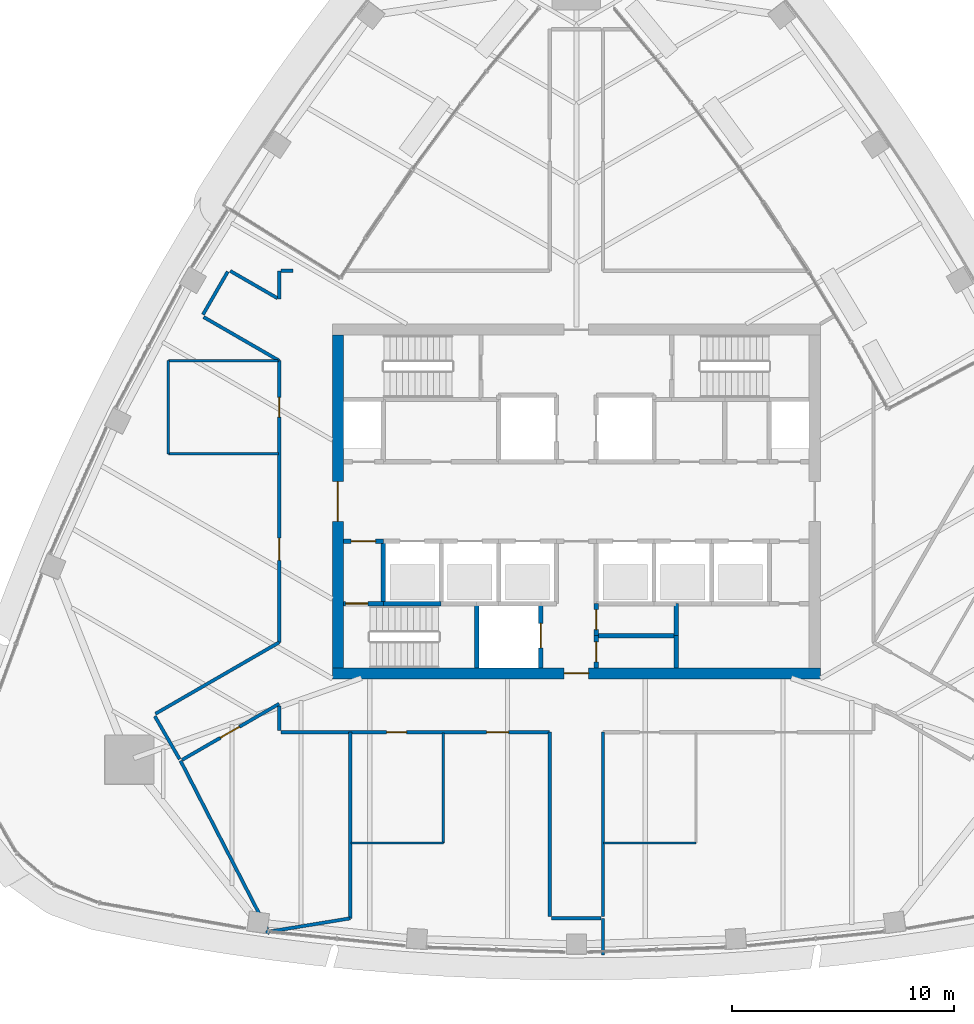
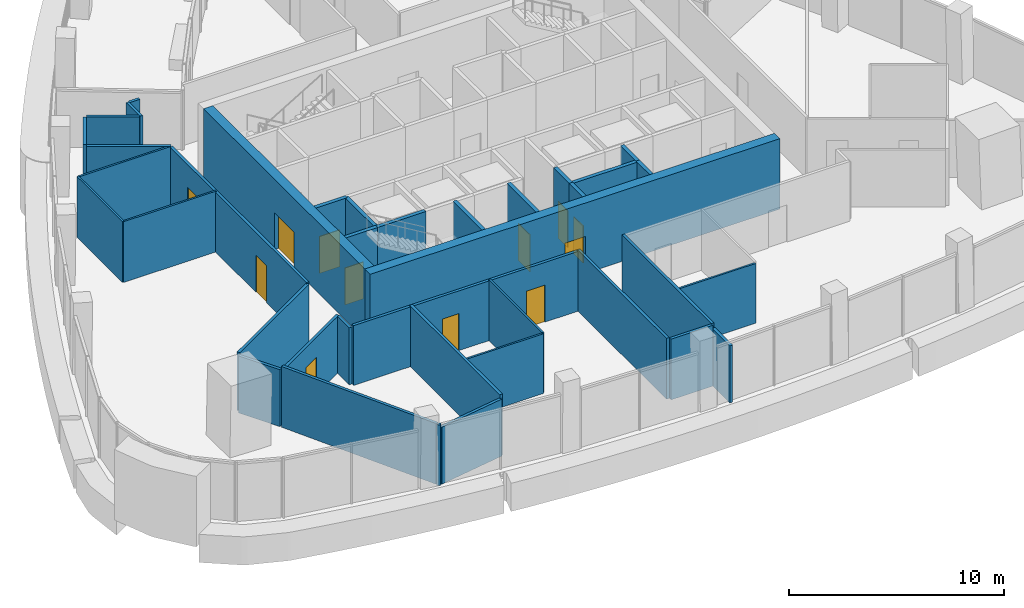
# One storey, part 10 of 18: 38 walls, 12 doors, 12 openings.
"""IFC4 building model written with IfcOpenShell, lengths in metres."""

from ifc_helpers import new_model, si_unit, direction, frame, frame_2d, origin, place, context, subcontext, project, spatial, rectangle, extrude, material, layer, layer_set, type_object, element, fill, save


model = new_model("IFC4")

# Units and contexts
model_context = context("Model", 3, precision=1e-05, world=origin(), true_north=direction((0.0, 1.0)))
body_context = subcontext(model_context, "Body", "Model", "MODEL_VIEW")
ifc_project = project(units=[si_unit("LENGTHUNIT", "METRE"), si_unit("AREAUNIT", "SQUARE_METRE"), si_unit("VOLUMEUNIT", "CUBIC_METRE"), si_unit("PLANEANGLEUNIT", "RADIAN"), si_unit("MASSUNIT", "GRAM", prefix="KILO")], contexts=[model_context])

# Site, building, storey
site_placement = place(None, origin())
site = spatial("IfcSite", under=ifc_project, at=site_placement, CompositionType="ELEMENT")
building_placement = place(site_placement, origin())
building = spatial("IfcBuilding", under=site, at=building_placement, Name="Sierra Prisma Convention Tower", CompositionType="ELEMENT")
storey_placement = place(building_placement, frame((0.0, 0.0, 307.0)))
storey = spatial("IfcBuildingStorey", under=building, at=storey_placement, Name="L70", CompositionType="ELEMENT", Elevation=307.0)

# Walls
ifc_material_1 = material(Name="Gypsum board partition", Category="gypsum")
ifc_layer_1 = layer(ifc_material_1, 0.10009765625)
ifc_layer_set_1 = layer_set([ifc_layer_1], Name="Bathroom partition 100")
wall_type_1 = type_object("IfcWallType", Name="Bathroom partition 100", PredefinedType="PARTITIONING", material=ifc_layer_set_1)
wall_1_placement = place(storey_placement, frame((-13.429931640625, 2.15087890625, 0.0), z_axis=(0.0, 0.0, 1.0), x_axis=(-1.0, 0.0, 0.0)))
element("IfcWall", 1, at=wall_1_placement, inside=storey, type_object=wall_type_1, Name="Partition L70 bath 1", PredefinedType="PARTITIONING", context=body_context, shape_type="SweptSolid", body=[
    extrude(rectangle(XDim=4.969970703125, YDim=0.10009765625, at=frame_2d((2.48486328125, 0.0))), origin(), (0.0, 0.0, 1.0), 3.449951171875),
])
wall_2_placement = place(storey_placement, frame((-18.39990234375, 2.15087890625, 0.0), z_axis=(0.0, 0.0, 1.0), x_axis=(0.0, 1.0, 0.0)))
element("IfcWall", 2, at=wall_2_placement, inside=storey, type_object=wall_type_1, Name="Partition L70 bath 2", PredefinedType="PARTITIONING", context=body_context, shape_type="SweptSolid", body=[
    extrude(rectangle(XDim=4.199951171875, YDim=0.10009765625, at=frame_2d((2.10009765625, 0.0))), origin(), (0.0, 0.0, 1.0), 3.449951171875),
])
wall_3_placement = place(storey_placement, frame((-18.39990234375, 6.350830078125, 0.0), z_axis=(0.0, 0.0, 1.0), x_axis=(1.0, 0.0, 0.0)))
element("IfcWall", 3, at=wall_3_placement, inside=storey, type_object=wall_type_1, Name="Partition L70 bath 3", PredefinedType="PARTITIONING", context=body_context, shape_type="SweptSolid", body=[
    extrude(rectangle(XDim=4.93994140625, YDim=0.10009765625, at=frame_2d((2.469970703125, 0.0))), origin(), (0.0, 0.0, 1.0), 3.443115234375),
])
wall_4_placement = place(storey_placement, frame((-6.0, -10.429931640625, 0.0), z_axis=(0.0, 0.0, 1.0), x_axis=(0.0, -1.0, 0.0)))
element("IfcWall", 4, at=wall_4_placement, inside=storey, type_object=wall_type_1, Name="Partition L70 bath 4", PredefinedType="PARTITIONING", context=body_context, shape_type="SweptSolid", body=[
    extrude(rectangle(XDim=4.969970703125, YDim=0.10009765625, at=frame_2d((2.48486328125, 0.0))), origin(), (0.0, 0.0, 1.0), 3.449951171875),
])
for number, where, z_axis, x_axis, name in (
    (5, (-6.0, -15.39990234375, 0.0), (0.0, 0.0, 1.0), (-1.0, 0.0, 0.0), "Partition L70 bath 5"),
    (6, (5.39990234375, -15.39990234375, 0.0), (0.0, 0.0, 1.0), (-1.0, 0.0, 0.0), "Partition L70 bath 7"),
):
    element("IfcWall", number, at=place(storey_placement, frame(where, z_axis=z_axis, x_axis=x_axis)), inside=storey, type_object=wall_type_1, Name=name, PredefinedType="PARTITIONING", context=body_context, shape_type="SweptSolid", body=[
        extrude(rectangle(XDim=4.169921875, YDim=0.10009765625, at=frame_2d((2.0849609375, 0.0))), origin(), (0.0, 0.0, 1.0), 3.39306640625),
    ])

# Wall, opening, door
ifc_material_2 = material(Name="Concrete C30/37", Category="concrete")
ifc_layer_2 = layer(ifc_material_2, 0.199951171875)
ifc_layer_set_2 = layer_set([ifc_layer_2], Name="Core wall RC 200 C30/37")
wall_type_2 = type_object("IfcWallType", Name="Core wall RC 200 C30/37", PredefinedType="SOLIDWALL", material=ifc_layer_set_2)
wall_5_placement = place(storey_placement, frame((-10.5, -4.60009765625, 0.0), z_axis=(0.0, 0.0, 1.0), x_axis=(1.0, 0.0, 0.0)))
wall_5 = element("IfcWall", 7, at=wall_5_placement, inside=storey, type_object=wall_type_2, Name="Core wall L70 1", PredefinedType="SOLIDWALL", context=body_context, shape_type="SweptSolid", body=[
    extrude(rectangle(XDim=1.800048828125, YDim=0.199951171875, at=frame_2d((0.89990234375, 0.0))), origin(), (0.0, 0.0, 1.0), 3.85009765625),
])
opening_1_placement = place(wall_5_placement, frame((0.10009765625, 0.0, 0.0)))
opening_1 = element("IfcOpeningElement", 8, at=opening_1_placement, cuts=wall_5, Name="Opening L70-D017", PredefinedType="OPENING", context=body_context, shape_type="SweptSolid", body=[
    extrude(rectangle(XDim=1.0, YDim=2.10009765625, at=frame_2d((0.5, 1.050048828125))), frame((0.0, 0.10009765625, 0.0), z_axis=(0.0, -1.0, 0.0), x_axis=(1.0, 0.0, 0.0)), (0.0, 0.0, 1.0), 0.199951171875),
])
ifc_material_3 = material(Name="Steel fire door leaf", Category="steel")
door_type_1 = type_object("IfcDoorType", Name="Door 1000x2100 FD90S", OperationType="SINGLE_SWING_LEFT", PredefinedType="DOOR", material=ifc_material_3)
door_1_placement = place(opening_1_placement, origin())
door_1 = element("IfcDoor", 9, at=door_1_placement, inside=storey, type_object=door_type_1, Name="Door L70 27", OperationType="SINGLE_SWING_LEFT", OverallHeight=2.10009765625, OverallWidth=1.0, PredefinedType="DOOR", context=body_context, shape_type="SweptSolid", body=[
    extrude(rectangle(XDim=1.0, YDim=2.10009765625, at=frame_2d((0.5, 1.050048828125))), frame((0.0, 0.02490234375, 0.0), z_axis=(0.0, -1.0, 0.0), x_axis=(1.0, 0.0, 0.0)), (0.0, 0.0, 1.0), 0.050048828125),
])
fill(opening_1, door_1)

wall_6_placement = place(storey_placement, frame((-10.5, -1.800048828125, 0.0), z_axis=(0.0, 0.0, 1.0), x_axis=(1.0, 0.0, 0.0)))
wall_6 = element("IfcWall", 10, at=wall_6_placement, inside=storey, type_object=wall_type_2, Name="Core wall L70 2", PredefinedType="SOLIDWALL", context=body_context, shape_type="SweptSolid", body=[
    extrude(rectangle(XDim=1.800048828125, YDim=0.199951171875, at=frame_2d((0.89990234375, 0.0))), origin(), (0.0, 0.0, 1.0), 3.85009765625),
])
opening_2_placement = place(wall_6_placement, frame((0.35009765625, 0.0, 0.0)))
opening_2 = element("IfcOpeningElement", 11, at=opening_2_placement, cuts=wall_6, Name="Opening L70-D012", PredefinedType="OPENING", context=body_context, shape_type="SweptSolid", body=[
    extrude(rectangle(XDim=1.10009765625, YDim=2.10009765625, at=frame_2d((0.550048828125, 1.050048828125))), frame((0.0, 0.10009765625, 0.0), z_axis=(0.0, -1.0, 0.0), x_axis=(1.0, 0.0, 0.0)), (0.0, 0.0, 1.0), 0.199951171875),
])
ifc_material_4 = material(Name="Steel fire door leaf", Category="steel")
door_type_2 = type_object("IfcDoorType", Name="Door 1100x2100 FD90S", OperationType="SINGLE_SWING_LEFT", PredefinedType="DOOR", material=ifc_material_4)
door_2_placement = place(opening_2_placement, origin())
door_2 = element("IfcDoor", 12, at=door_2_placement, inside=storey, type_object=door_type_2, Name="Door L70 22", OperationType="SINGLE_SWING_RIGHT", OverallHeight=2.10009765625, OverallWidth=1.10009765625, PredefinedType="DOOR", context=body_context, shape_type="SweptSolid", body=[
    extrude(rectangle(XDim=1.10009765625, YDim=2.10009765625, at=frame_2d((0.550048828125, 1.050048828125))), frame((0.0, 0.02490234375, 0.0), z_axis=(0.0, -1.0, 0.0), x_axis=(1.0, 0.0, 0.0)), (0.0, 0.0, 1.0), 0.050048828125),
])
fill(opening_2, door_2)

# Walls
wall_7_placement = place(storey_placement, frame((-8.699951171875, -4.60009765625, 0.0), z_axis=(0.0, 0.0, 1.0), x_axis=(1.0, 0.0, 0.0)))
element("IfcWall", 13, at=wall_7_placement, inside=storey, type_object=wall_type_2, Name="Core wall L70 5", PredefinedType="SOLIDWALL", context=body_context, shape_type="SweptSolid", body=[
    extrude(rectangle(XDim=2.599853515625, YDim=0.199951171875, at=frame_2d((1.2998046875, 0.0))), origin(), (0.0, 0.0, 1.0), 3.85009765625),
])
wall_8_placement = place(storey_placement, frame((-8.699951171875, -4.60009765625, 0.0), z_axis=(0.0, 0.0, 1.0), x_axis=(0.0, 1.0, 0.0)))
element("IfcWall", 14, at=wall_8_placement, inside=storey, type_object=wall_type_2, Name="Core wall L70 6", PredefinedType="SOLIDWALL", context=body_context, shape_type="SweptSolid", body=[
    extrude(rectangle(XDim=2.800048828125, YDim=0.199951171875, at=frame_2d((1.39990234375, 0.0))), origin(), (0.0, 0.0, 1.0), 3.85009765625),
])
wall_9_placement = place(storey_placement, frame((-4.5, -4.60009765625, 0.0), z_axis=(0.0, 0.0, 1.0), x_axis=(0.0, -1.0, 0.0)))
element("IfcWall", 15, at=wall_9_placement, inside=storey, type_object=wall_type_2, Name="Core wall L70 14", PredefinedType="SOLIDWALL", context=body_context, shape_type="SweptSolid", body=[
    extrude(rectangle(XDim=2.89990234375, YDim=0.199951171875, at=frame_2d((1.449951171875, 0.0))), origin(), (0.0, 0.0, 1.0), 3.85009765625),
])

# Wall, opening, door
wall_10_placement = place(storey_placement, frame((-1.60009765625, -7.5, 0.0), z_axis=(0.0, 0.0, 1.0), x_axis=(0.0, 1.0, 0.0)))
wall_10 = element("IfcWall", 16, at=wall_10_placement, inside=storey, type_object=wall_type_2, Name="Core wall L70 26", PredefinedType="SOLIDWALL", context=body_context, shape_type="SweptSolid", body=[
    extrude(rectangle(XDim=2.89990234375, YDim=0.199951171875, at=frame_2d((1.449951171875, 0.0))), origin(), (0.0, 0.0, 1.0), 3.85009765625),
])
opening_3_placement = place(wall_10_placement, frame((0.89990234375, 0.0, 0.0)))
opening_3 = element("IfcOpeningElement", 17, at=opening_3_placement, cuts=wall_10, Name="Opening L70-D011", PredefinedType="OPENING", context=body_context, shape_type="SweptSolid", body=[
    extrude(rectangle(XDim=1.10009765625, YDim=2.10009765625, at=frame_2d((0.550048828125, 1.050048828125))), frame((0.0, 0.10009765625, 0.0), z_axis=(0.0, -1.0, 0.0), x_axis=(1.0, 0.0, 0.0)), (0.0, 0.0, 1.0), 0.199951171875),
])
ifc_material_5 = material(Name="Steel fire door leaf", Category="steel")
door_type_3 = type_object("IfcDoorType", Name="Door 1100x2100 EI 90 sliding lift landing", OperationType="SLIDING_TO_LEFT", PredefinedType="DOOR", material=ifc_material_5)
door_3_placement = place(opening_3_placement, origin())
door_3 = element("IfcDoor", 18, at=door_3_placement, inside=storey, type_object=door_type_3, Name="Door L70 21", OperationType="SLIDING_TO_RIGHT", OverallHeight=2.10009765625, OverallWidth=1.10009765625, PredefinedType="DOOR", context=body_context, shape_type="SweptSolid", body=[
    extrude(rectangle(XDim=1.10009765625, YDim=2.10009765625, at=frame_2d((0.550048828125, 1.050048828125))), frame((0.0, 0.02490234375, 0.0), z_axis=(0.0, -1.0, 0.0), x_axis=(1.0, 0.0, 0.0)), (0.0, 0.0, 1.0), 0.050048828125),
])
fill(opening_3, door_3)

wall_11_placement = place(storey_placement, frame((0.89990234375, -6.050048828125, 0.0), z_axis=(0.0, 0.0, 1.0), x_axis=(0.0, -1.0, 0.0)))
wall_11 = element("IfcWall", 19, at=wall_11_placement, inside=storey, type_object=wall_type_2, Name="Core wall L70 31", PredefinedType="SOLIDWALL", context=body_context, shape_type="SweptSolid", body=[
    extrude(rectangle(XDim=1.449951171875, YDim=0.199951171875, at=frame_2d((0.72509765625, 0.0))), origin(), (0.0, 0.0, 1.0), 3.85009765625),
])
opening_4_placement = place(wall_11_placement, frame((0.27490234375, 0.0, 0.0)))
opening_4 = element("IfcOpeningElement", 20, at=opening_4_placement, cuts=wall_11, Name="Opening L70-D025", PredefinedType="OPENING", context=body_context, shape_type="SweptSolid", body=[
    extrude(rectangle(XDim=0.89990234375, YDim=2.10009765625, at=frame_2d((0.449951171875, 1.050048828125))), frame((0.0, 0.10009765625, 0.0), z_axis=(0.0, -1.0, 0.0), x_axis=(1.0, 0.0, 0.0)), (0.0, 0.0, 1.0), 0.199951171875),
])
ifc_material_6 = material(Name="Steel fire door leaf", Category="steel")
door_type_4 = type_object("IfcDoorType", Name="Door 900x2100 FD30S", OperationType="SINGLE_SWING_LEFT", PredefinedType="DOOR", material=ifc_material_6)
door_4_placement = place(opening_4_placement, origin())
door_4 = element("IfcDoor", 21, at=door_4_placement, inside=storey, type_object=door_type_4, Name="Door L70 35", OperationType="SINGLE_SWING_LEFT", OverallHeight=2.10009765625, OverallWidth=0.89990234375, PredefinedType="DOOR", context=body_context, shape_type="SweptSolid", body=[
    extrude(rectangle(XDim=0.89990234375, YDim=2.10009765625, at=frame_2d((0.449951171875, 1.050048828125))), frame((0.0, 0.02490234375, 0.0), z_axis=(0.0, -1.0, 0.0), x_axis=(1.0, 0.0, 0.0)), (0.0, 0.0, 1.0), 0.050048828125),
])
fill(opening_4, door_4)

# Wall
wall_12_placement = place(storey_placement, frame((4.5, -6.050048828125, 0.0), z_axis=(0.0, 0.0, 1.0), x_axis=(-1.0, 0.0, 0.0)))
element("IfcWall", 22, at=wall_12_placement, inside=storey, type_object=wall_type_2, Name="Core wall L70 32", PredefinedType="SOLIDWALL", context=body_context, shape_type="SweptSolid", body=[
    extrude(rectangle(XDim=3.60009765625, YDim=0.199951171875, at=frame_2d((1.800048828125, 0.0))), origin(), (0.0, 0.0, 1.0), 3.85009765625),
])

# Wall, opening, door
wall_13_placement = place(storey_placement, frame((0.89990234375, -4.60009765625, 0.0), z_axis=(0.0, 0.0, 1.0), x_axis=(0.0, -1.0, 0.0)))
wall_13 = element("IfcWall", 23, at=wall_13_placement, inside=storey, type_object=wall_type_2, Name="Core wall L70 33", PredefinedType="SOLIDWALL", context=body_context, shape_type="SweptSolid", body=[
    extrude(rectangle(XDim=1.449951171875, YDim=0.199951171875, at=frame_2d((0.72509765625, 0.0))), origin(), (0.0, 0.0, 1.0), 3.85009765625),
])
opening_5_placement = place(wall_13_placement, frame((0.27490234375, 0.0, 0.0)))
opening_5 = element("IfcOpeningElement", 24, at=opening_5_placement, cuts=wall_13, Name="Opening L70-D026", PredefinedType="OPENING", context=body_context, shape_type="SweptSolid", body=[
    extrude(rectangle(XDim=0.89990234375, YDim=2.10009765625, at=frame_2d((0.449951171875, 1.050048828125))), frame((0.0, 0.10009765625, 0.0), z_axis=(0.0, -1.0, 0.0), x_axis=(1.0, 0.0, 0.0)), (0.0, 0.0, 1.0), 0.199951171875),
])
door_5_placement = place(opening_5_placement, origin())
door_5 = element("IfcDoor", 25, at=door_5_placement, inside=storey, type_object=door_type_4, Name="Door L70 36", OperationType="SINGLE_SWING_RIGHT", OverallHeight=2.10009765625, OverallWidth=0.89990234375, PredefinedType="DOOR", context=body_context, shape_type="SweptSolid", body=[
    extrude(rectangle(XDim=0.89990234375, YDim=2.10009765625, at=frame_2d((0.449951171875, 1.050048828125))), frame((0.0, 0.02490234375, 0.0), z_axis=(0.0, -1.0, 0.0), x_axis=(1.0, 0.0, 0.0)), (0.0, 0.0, 1.0), 0.050048828125),
])
fill(opening_5, door_5)

# Walls
for number, where, z_axis, x_axis, name in (
    (26, (4.5, -6.050048828125, 0.0), (0.0, 0.0, 1.0), (0.0, -1.0, 0.0), "Core wall L70 49"),
    (27, (4.5, -4.60009765625, 0.0), (0.0, 0.0, 1.0), (0.0, -1.0, 0.0), "Core wall L70 50"),
):
    element("IfcWall", number, at=place(storey_placement, frame(where, z_axis=z_axis, x_axis=x_axis)), inside=storey, type_object=wall_type_2, Name=name, PredefinedType="SOLIDWALL", context=body_context, shape_type="SweptSolid", body=[
        extrude(rectangle(XDim=1.449951171875, YDim=0.199951171875, at=frame_2d((0.72509765625, 0.0))), origin(), (0.0, 0.0, 1.0), 3.85009765625),
    ])

# Wall, opening, door
ifc_material_7 = material(Name="Concrete C50/60", Category="concrete")
ifc_layer_3 = layer(ifc_material_7, 0.5)
ifc_layer_set_3 = layer_set([ifc_layer_3], Name="Core wall RC 500 C50/60")
wall_type_3 = type_object("IfcWallType", Name="Core wall RC 500 C50/60", PredefinedType="SHEAR", material=ifc_layer_set_3)
wall_14_placement = place(storey_placement, frame((-11.0, -7.75, 0.0), z_axis=(0.0, 0.0, 1.0), x_axis=(1.0, 0.0, 0.0)))
wall_14 = element("IfcWall", 28, at=wall_14_placement, inside=storey, type_object=wall_type_3, Name="Core wall S L70", PredefinedType="SHEAR", context=body_context, shape_type="SweptSolid", body=[
    extrude(rectangle(XDim=22.0, YDim=0.5, at=frame_2d((11.0, 0.0))), origin(), (0.0, 0.0, 1.0), 4.0),
])
opening_6_placement = place(wall_14_placement, frame((10.449951171875, 0.0, 0.0)))
opening_6 = element("IfcOpeningElement", 29, at=opening_6_placement, cuts=wall_14, Name="Opening L70-D041", PredefinedType="OPENING", context=body_context, shape_type="SweptSolid", body=[
    extrude(rectangle(XDim=1.10009765625, YDim=2.10009765625, at=frame_2d((0.550048828125, 1.050048828125))), frame((0.0, 0.25, 0.0), z_axis=(0.0, -1.0, 0.0), x_axis=(1.0, 0.0, 0.0)), (0.0, 0.0, 1.0), 0.5),
])
ifc_material_8 = material(Name="Steel fire door leaf", Category="steel")
door_type_5 = type_object("IfcDoorType", Name="Door 1100x2100 FD30S", OperationType="SINGLE_SWING_LEFT", PredefinedType="DOOR", material=ifc_material_8)
door_6_placement = place(opening_6_placement, origin())
door_6 = element("IfcDoor", 30, at=door_6_placement, inside=storey, type_object=door_type_5, Name="Door L70 40", OperationType="SINGLE_SWING_LEFT", OverallHeight=2.10009765625, OverallWidth=1.10009765625, PredefinedType="DOOR", context=body_context, shape_type="SweptSolid", body=[
    extrude(rectangle(XDim=1.10009765625, YDim=2.10009765625, at=frame_2d((0.550048828125, 1.050048828125))), frame((0.0, 0.02490234375, 0.0), z_axis=(0.0, -1.0, 0.0), x_axis=(1.0, 0.0, 0.0)), (0.0, 0.0, 1.0), 0.050048828125),
])
fill(opening_6, door_6)

wall_15_placement = place(storey_placement, frame((-10.75, -7.5, 0.0), z_axis=(0.0, 0.0, 1.0), x_axis=(0.0, 1.0, 0.0)))
wall_15 = element("IfcWall", 31, at=wall_15_placement, inside=storey, type_object=wall_type_3, Name="Core wall W L70", PredefinedType="SHEAR", context=body_context, shape_type="SweptSolid", body=[
    extrude(rectangle(XDim=15.0, YDim=0.5, at=frame_2d((7.5, 0.0))), origin(), (0.0, 0.0, 1.0), 4.0),
])
opening_7_placement = place(wall_15_placement, frame((6.60009765625, 0.0, 0.0)))
opening_7 = element("IfcOpeningElement", 32, at=opening_7_placement, cuts=wall_15, Name="Opening L70-D042", PredefinedType="OPENING", context=body_context, shape_type="SweptSolid", body=[
    extrude(rectangle(XDim=1.800048828125, YDim=2.10009765625, at=frame_2d((0.89990234375, 1.050048828125))), frame((0.0, 0.25, 0.0), z_axis=(0.0, -1.0, 0.0), x_axis=(1.0, 0.0, 0.0)), (0.0, 0.0, 1.0), 0.5),
])
ifc_material_9 = material(Name="Steel fire door leaf", Category="steel")
door_type_6 = type_object("IfcDoorType", Name="Door 1800x2100 FD60S", OperationType="DOUBLE_DOOR_SINGLE_SWING", PredefinedType="DOOR", material=ifc_material_9)
door_7_placement = place(opening_7_placement, origin())
door_7 = element("IfcDoor", 33, at=door_7_placement, inside=storey, type_object=door_type_6, Name="Door L70 37", OperationType="DOUBLE_DOOR_SINGLE_SWING", OverallHeight=2.10009765625, OverallWidth=1.800048828125, PredefinedType="DOOR", context=body_context, shape_type="SweptSolid", body=[
    extrude(rectangle(XDim=1.800048828125, YDim=2.10009765625, at=frame_2d((0.89990234375, 1.050048828125))), frame((0.0, 0.02490234375, 0.0), z_axis=(0.0, -1.0, 0.0), x_axis=(1.0, 0.0, 0.0)), (0.0, 0.0, 1.0), 0.050048828125),
])
fill(opening_7, door_7)

# Walls
ifc_material_10 = material(Name="Gypsum board partition", Category="gypsum")
ifc_layer_4 = layer(ifc_material_10, 0.14990234375)
ifc_layer_set_4 = layer_set([ifc_layer_4], Name="Corridor wall 150 gypsum EI 60")
wall_type_4 = type_object("IfcWallType", Name="Corridor wall 150 gypsum EI 60", PredefinedType="PARTITIONING", material=ifc_layer_set_4)
wall_16_placement = place(storey_placement, frame((-19.006103515625, -9.679931640625, 0.0), z_axis=(0.0, 0.0, 1.0), x_axis=(0.49994888933, -0.866054910533, 0.0)))
element("IfcWall", 34, at=wall_16_placement, inside=storey, type_object=wall_type_4, Name="Partition L70 corr 1", PredefinedType="PARTITIONING", context=body_context, shape_type="SweptSolid", body=[
    extrude(rectangle(XDim=2.239990234375, YDim=0.14990234375, at=frame_2d((1.1201171875, 0.0))), origin(), (0.0, 0.0, 1.0), 3.23291015625),
])
wall_17_placement = place(storey_placement, frame((-16.806884765625, 8.31787109375, 0.0), z_axis=(0.0, 0.0, 1.0), x_axis=(0.866023334807, -0.500003583557, 0.0)))
element("IfcWall", 35, at=wall_17_placement, inside=storey, type_object=wall_type_4, Name="Partition L70 corr 2", PredefinedType="PARTITIONING", context=body_context, shape_type="SweptSolid", body=[
    extrude(rectangle(XDim=3.93408203125, YDim=0.14990234375, at=frame_2d((1.967041015625, 0.0))), origin(), (0.0, 0.0, 1.0), 3.449951171875),
])

# Wall, openings, doors
wall_18_placement = place(storey_placement, frame((-13.39990234375, 6.350830078125, 0.0), z_axis=(0.0, 0.0, 1.0), x_axis=(0.0, -1.0, 0.0)))
wall_18 = element("IfcWall", 36, at=wall_18_placement, inside=storey, type_object=wall_type_4, Name="Partition L70 corr 3", PredefinedType="PARTITIONING", context=body_context, shape_type="SweptSolid", body=[
    extrude(rectangle(XDim=12.70166015625, YDim=0.14990234375, at=frame_2d((6.350830078125, 0.0))), origin(), (0.0, 0.0, 1.0), 3.39306640625),
])
opening_8_placement = place(wall_18_placement, frame((1.64990234375, 0.0, 0.0)))
opening_8 = element("IfcOpeningElement", 37, at=opening_8_placement, cuts=wall_18, Name="Opening L70-D030", PredefinedType="OPENING", context=body_context, shape_type="SweptSolid", body=[
    extrude(rectangle(XDim=0.89990234375, YDim=2.10009765625, at=frame_2d((0.449951171875, 1.050048828125))), frame((0.0, 0.074951171875, 0.0), z_axis=(0.0, -1.0, 0.0), x_axis=(1.0, 0.0, 0.0)), (0.0, 0.0, 1.0), 0.14990234375),
])
opening_9_placement = place(wall_18_placement, frame((8.0009765625, 0.0, 0.0)))
opening_9 = element("IfcOpeningElement", 38, at=opening_9_placement, cuts=wall_18, Name="Opening L70-D031", PredefinedType="OPENING", context=body_context, shape_type="SweptSolid", body=[
    extrude(rectangle(XDim=1.0, YDim=2.10009765625, at=frame_2d((0.5, 1.050048828125))), frame((0.0, 0.074951171875, 0.0), z_axis=(0.0, -1.0, 0.0), x_axis=(1.0, 0.0, 0.0)), (0.0, 0.0, 1.0), 0.14990234375),
])
ifc_material_11 = material(Name="Steel fire door leaf", Category="steel")
door_type_7 = type_object("IfcDoorType", Name="Door 1000x2100 FD30S", OperationType="SINGLE_SWING_LEFT", PredefinedType="DOOR", material=ifc_material_11)
door_8_placement = place(opening_9_placement, origin())
door_8 = element("IfcDoor", 39, at=door_8_placement, inside=storey, type_object=door_type_7, Name="Door L70 5", OperationType="SINGLE_SWING_RIGHT", OverallHeight=2.10009765625, OverallWidth=1.0, PredefinedType="DOOR", context=body_context, shape_type="SweptSolid", body=[
    extrude(rectangle(XDim=1.0, YDim=2.10009765625, at=frame_2d((0.5, 1.050048828125))), frame((0.0, 0.02490234375, 0.0), z_axis=(0.0, -1.0, 0.0), x_axis=(1.0, 0.0, 0.0)), (0.0, 0.0, 1.0), 0.050048828125),
])
fill(opening_9, door_8)
door_9_placement = place(opening_8_placement, origin())
door_9 = element("IfcDoor", 40, at=door_9_placement, inside=storey, type_object=door_type_4, Name="Door L70 4", OperationType="SINGLE_SWING_RIGHT", OverallHeight=2.10009765625, OverallWidth=0.89990234375, PredefinedType="DOOR", context=body_context, shape_type="SweptSolid", body=[
    extrude(rectangle(XDim=0.89990234375, YDim=2.10009765625, at=frame_2d((0.449951171875, 1.050048828125))), frame((0.0, 0.02490234375, 0.0), z_axis=(0.0, -1.0, 0.0), x_axis=(1.0, 0.0, 0.0)), (0.0, 0.0, 1.0), 0.050048828125),
])
fill(opening_8, door_9)

# Wall
wall_19_placement = place(storey_placement, frame((-13.39990234375, -6.350830078125, 0.0), z_axis=(0.0, 0.0, 1.0), x_axis=(-0.866015754151, -0.500016713282, 0.0)))
element("IfcWall", 41, at=wall_19_placement, inside=storey, type_object=wall_type_4, Name="Partition L70 corr 4", PredefinedType="PARTITIONING", context=body_context, shape_type="SweptSolid", body=[
    extrude(rectangle(XDim=6.439697265625, YDim=0.14990234375, at=frame_2d((3.2197265625, 0.0))), origin(), (0.0, 0.0, 1.0), 3.31689453125),
])

# Wall, opening, door
wall_20_placement = place(storey_placement, frame((-17.77685546875, -11.649169921875, 0.0), z_axis=(0.0, 0.0, 1.0), x_axis=(0.866019873856, 0.500009577994, 0.0)))
wall_20 = element("IfcWall", 42, at=wall_20_placement, inside=storey, type_object=wall_type_4, Name="Partition L70 corr 5", PredefinedType="PARTITIONING", context=body_context, shape_type="SweptSolid", body=[
    extrude(rectangle(XDim=5.05419921875, YDim=0.14990234375, at=frame_2d((2.527099609375, 0.0))), origin(), (0.0, 0.0, 1.0), 3.23291015625),
])
opening_10_placement = place(wall_20_placement, frame((1.987060546875, 0.0, 0.0)))
opening_10 = element("IfcOpeningElement", 43, at=opening_10_placement, cuts=wall_20, Name="Opening L70-D032", PredefinedType="OPENING", context=body_context, shape_type="SweptSolid", body=[
    extrude(rectangle(XDim=1.0, YDim=2.10009765625, at=frame_2d((0.5, 1.050048828125))), frame((0.0, 0.074951171875, 0.0), z_axis=(0.0, -1.0, 0.0), x_axis=(1.0, 0.0, 0.0)), (0.0, 0.0, 1.0), 0.14990234375),
])
door_10_placement = place(opening_10_placement, origin())
door_10 = element("IfcDoor", 44, at=door_10_placement, inside=storey, type_object=door_type_7, Name="Door L70 6", OperationType="SINGLE_SWING_LEFT", OverallHeight=2.10009765625, OverallWidth=1.0, PredefinedType="DOOR", context=body_context, shape_type="SweptSolid", body=[
    extrude(rectangle(XDim=1.0, YDim=2.10009765625, at=frame_2d((0.5, 1.050048828125))), frame((0.0, 0.02490234375, 0.0), z_axis=(0.0, -1.0, 0.0), x_axis=(1.0, 0.0, 0.0)), (0.0, 0.0, 1.0), 0.050048828125),
])
fill(opening_10, door_10)

# Walls
wall_21_placement = place(storey_placement, frame((-13.39990234375, -9.213623046875, 0.0), z_axis=(0.0, 0.0, 1.0), x_axis=(0.0, -1.0, 0.0)))
element("IfcWall", 45, at=wall_21_placement, inside=storey, type_object=wall_type_4, Name="Partition L70 corr 6", PredefinedType="PARTITIONING", context=body_context, shape_type="SweptSolid", body=[
    extrude(rectangle(XDim=1.1064453125, YDim=0.14990234375, at=frame_2d((0.55322265625, 0.0))), origin(), (0.0, 0.0, 1.0), 3.23291015625),
])
wall_22_placement = place(storey_placement, frame((-15.71630859375, 10.3671875, 0.0), z_axis=(0.0, 0.0, 1.0), x_axis=(-0.49994888933, -0.866054910533, 0.0)))
element("IfcWall", 46, at=wall_22_placement, inside=storey, type_object=wall_type_4, Name="Partition L70 corr 7", PredefinedType="PARTITIONING", context=body_context, shape_type="SweptSolid", body=[
    extrude(rectangle(XDim=2.239990234375, YDim=0.14990234375, at=frame_2d((1.1201171875, 0.0))), origin(), (0.0, 0.0, 1.0), 3.449951171875),
])
wall_23_placement = place(storey_placement, frame((-13.39990234375, 10.39990234375, 0.0), z_axis=(0.0, 0.0, 1.0), x_axis=(0.0, -1.0, 0.0)))
element("IfcWall", 47, at=wall_23_placement, inside=storey, type_object=wall_type_4, Name="Partition L70 corr 8", PredefinedType="PARTITIONING", context=body_context, shape_type="SweptSolid", body=[
    extrude(rectangle(XDim=1.27783203125, YDim=0.14990234375, at=frame_2d((0.638916015625, 0.0))), origin(), (0.0, 0.0, 1.0), 3.449951171875),
])
wall_24_placement = place(storey_placement, frame((-13.479248046875, 9.16796875, 0.0), z_axis=(0.0, 0.0, 1.0), x_axis=(-0.866008518766, 0.50002924457, 0.0)))
element("IfcWall", 48, at=wall_24_placement, inside=storey, type_object=wall_type_4, Name="Partition L70 corr 9", PredefinedType="PARTITIONING", context=body_context, shape_type="SweptSolid", body=[
    extrude(rectangle(XDim=2.456787109375, YDim=0.14990234375, at=frame_2d((1.228515625, 0.0))), origin(), (0.0, 0.0, 1.0), 3.449951171875),
])

# Wall, openings, doors
wall_25_placement = place(storey_placement, frame((-13.320068359375, -10.39990234375, 0.0), z_axis=(0.0, 0.0, 1.0), x_axis=(1.0, 0.0, 0.0)))
wall_25 = element("IfcWall", 49, at=wall_25_placement, inside=storey, type_object=wall_type_4, Name="Partition L70 corr 10", PredefinedType="PARTITIONING", context=body_context, shape_type="SweptSolid", body=[
    extrude(rectangle(XDim=12.1201171875, YDim=0.14990234375, at=frame_2d((6.06005859375, 0.0))), origin(), (0.0, 0.0, 1.0), 3.39306640625),
])
opening_11_placement = place(wall_25_placement, frame((4.77001953125, 0.0, 0.0)))
opening_11 = element("IfcOpeningElement", 50, at=opening_11_placement, cuts=wall_25, Name="Opening L70-D033", PredefinedType="OPENING", context=body_context, shape_type="SweptSolid", body=[
    extrude(rectangle(XDim=0.89990234375, YDim=2.10009765625, at=frame_2d((0.449951171875, 1.050048828125))), frame((0.0, 0.074951171875, 0.0), z_axis=(0.0, -1.0, 0.0), x_axis=(1.0, 0.0, 0.0)), (0.0, 0.0, 1.0), 0.14990234375),
])
opening_12_placement = place(wall_25_placement, frame((9.27001953125, 0.0, 0.0)))
opening_12 = element("IfcOpeningElement", 51, at=opening_12_placement, cuts=wall_25, Name="Opening L70-D034", PredefinedType="OPENING", context=body_context, shape_type="SweptSolid", body=[
    extrude(rectangle(XDim=1.0, YDim=2.10009765625, at=frame_2d((0.5, 1.050048828125))), frame((0.0, 0.074951171875, 0.0), z_axis=(0.0, -1.0, 0.0), x_axis=(1.0, 0.0, 0.0)), (0.0, 0.0, 1.0), 0.14990234375),
])
door_11_placement = place(opening_12_placement, origin())
door_11 = element("IfcDoor", 52, at=door_11_placement, inside=storey, type_object=door_type_7, Name="Door L70 8", OperationType="SINGLE_SWING_LEFT", OverallHeight=2.10009765625, OverallWidth=1.0, PredefinedType="DOOR", context=body_context, shape_type="SweptSolid", body=[
    extrude(rectangle(XDim=1.0, YDim=2.10009765625, at=frame_2d((0.5, 1.050048828125))), frame((0.0, 0.02490234375, 0.0), z_axis=(0.0, -1.0, 0.0), x_axis=(1.0, 0.0, 0.0)), (0.0, 0.0, 1.0), 0.050048828125),
])
fill(opening_12, door_11)
door_12_placement = place(opening_11_placement, origin())
door_12 = element("IfcDoor", 53, at=door_12_placement, inside=storey, type_object=door_type_4, Name="Door L70 7", OperationType="SINGLE_SWING_LEFT", OverallHeight=2.10009765625, OverallWidth=0.89990234375, PredefinedType="DOOR", context=body_context, shape_type="SweptSolid", body=[
    extrude(rectangle(XDim=0.89990234375, YDim=2.10009765625, at=frame_2d((0.449951171875, 1.050048828125))), frame((0.0, 0.02490234375, 0.0), z_axis=(0.0, -1.0, 0.0), x_axis=(1.0, 0.0, 0.0)), (0.0, 0.0, 1.0), 0.050048828125),
])
fill(opening_11, door_12)

# Walls
wall_26_placement = place(storey_placement, frame((-1.199951171875, -10.39990234375, 0.0), z_axis=(0.0, 0.0, 1.0), x_axis=(0.0, -1.0, 0.0)))
element("IfcWall", 54, at=wall_26_placement, inside=storey, type_object=wall_type_4, Name="Partition L70 corr 11", PredefinedType="PARTITIONING", context=body_context, shape_type="SweptSolid", body=[
    extrude(rectangle(XDim=8.314453125, YDim=0.14990234375, at=frame_2d((4.1572265625, 0.0))), origin(), (0.0, 0.0, 1.0), 3.449951171875),
])
wall_27_placement = place(storey_placement, frame((-12.783203125, 10.39990234375, 0.0), z_axis=(0.0, 0.0, 1.0), x_axis=(-1.0, 0.0, 0.0)))
element("IfcWall", 55, at=wall_27_placement, inside=storey, type_object=wall_type_4, Name="Partition L70 corr 12", PredefinedType="PARTITIONING", context=body_context, shape_type="SweptSolid", body=[
    extrude(rectangle(XDim=0.536865234375, YDim=0.14990234375, at=frame_2d((0.2685546875, 0.0))), origin(), (0.0, 0.0, 1.0), 3.449951171875),
])
wall_28_placement = place(storey_placement, frame((-1.1201171875, -18.794189453125, 0.0), z_axis=(0.0, 0.0, 1.0), x_axis=(1.0, 0.0, 0.0)))
element("IfcWall", 56, at=wall_28_placement, inside=storey, type_object=wall_type_4, Name="Partition L70 corr 15", PredefinedType="PARTITIONING", context=body_context, shape_type="SweptSolid", body=[
    extrude(rectangle(XDim=2.240234375, YDim=0.14990234375, at=frame_2d((1.1201171875, 0.0))), origin(), (0.0, 0.0, 1.0), 3.449951171875),
])
wall_29_placement = place(storey_placement, frame((1.199951171875, -18.71435546875, 0.0), z_axis=(0.0, 0.0, 1.0), x_axis=(0.0, 1.0, 0.0)))
element("IfcWall", 57, at=wall_29_placement, inside=storey, type_object=wall_type_4, Name="Partition L70 corr 17", PredefinedType="PARTITIONING", context=body_context, shape_type="SweptSolid", body=[
    extrude(rectangle(XDim=8.314453125, YDim=0.14990234375, at=frame_2d((4.1572265625, 0.0))), origin(), (0.0, 0.0, 1.0), 3.449951171875),
])
ifc_material_12 = material(Name="Gypsum board partition", Category="gypsum")
ifc_layer_5 = layer(ifc_material_12, 0.14990234375)
ifc_layer_set_5 = layer_set([ifc_layer_5], Name="Party wall 150 gypsum")
wall_type_5 = type_object("IfcWallType", Name="Party wall 150 gypsum", PredefinedType="PARTITIONING", material=ifc_layer_set_5)
wall_30_placement = place(storey_placement, frame((-17.84619140625, -11.689208984375, 0.0), z_axis=(0.0, 0.0, 1.0), x_axis=(0.457266107694, -0.889329920083, 0.0)))
element("IfcWall", 58, at=wall_30_placement, inside=storey, type_object=wall_type_5, Name="Partition L70 party 1", PredefinedType="PARTITIONING", context=body_context, shape_type="SweptSolid", body=[
    extrude(rectangle(XDim=8.5537109375, YDim=0.14990234375, at=frame_2d((4.27685546875, 0.0))), origin(), (0.0, 0.0, 1.0), 3.449951171875),
])
wall_31_placement = place(storey_placement, frame((-10.199951171875, -10.39990234375, 0.0), z_axis=(0.0, 0.0, 1.0), x_axis=(0.0, -1.0, 0.0)))
element("IfcWall", 59, at=wall_31_placement, inside=storey, type_object=wall_type_5, Name="Partition L70 party 2", PredefinedType="PARTITIONING", context=body_context, shape_type="SweptSolid", body=[
    extrude(rectangle(XDim=8.394287109375, YDim=0.14990234375, at=frame_2d((4.197265625, 0.0))), origin(), (0.0, 0.0, 1.0), 3.449951171875),
])
wall_32_placement = place(storey_placement, frame((-10.199951171875, -18.794189453125, 0.0), z_axis=(0.0, 0.0, 1.0), x_axis=(-0.986776260691, -0.162088282538, 0.0)))
element("IfcWall", 60, at=wall_32_placement, inside=storey, type_object=wall_type_5, Name="Partition L70 party 3", PredefinedType="PARTITIONING", context=body_context, shape_type="SweptSolid", body=[
    extrude(rectangle(XDim=3.633056640625, YDim=0.14990234375, at=frame_2d((1.81640625, 0.0))), origin(), (0.0, 0.0, 1.0), 3.23388671875),
])
wall_33_placement = place(storey_placement, frame((-13.834716796875, -19.4697265625, 0.0), z_axis=(0.0, 0.0, 1.0), x_axis=(-0.799522420025, 0.60063624589, 0.0)))
element("IfcWall", 61, at=wall_33_placement, inside=storey, type_object=wall_type_5, Name="Partition L70 party 4", PredefinedType="PARTITIONING", context=body_context, shape_type="SweptSolid", body=[
    extrude(rectangle(XDim=0.18408203125, YDim=0.14990234375, at=frame_2d((0.092041015625, 0.0))), origin(), (0.0, 0.0, 1.0), 3.449951171875),
])
wall_34_placement = place(storey_placement, frame((1.199951171875, -18.794189453125, 0.0), z_axis=(0.0, 0.0, 1.0), x_axis=(0.0, -1.0, 0.0)))
element("IfcWall", 62, at=wall_34_placement, inside=storey, type_object=wall_type_5, Name="Partition L70 party 5", PredefinedType="PARTITIONING", context=body_context, shape_type="SweptSolid", body=[
    extrude(rectangle(XDim=1.64892578125, YDim=0.14990234375, at=frame_2d((0.824462890625, 0.0))), origin(), (0.0, 0.0, 1.0), 3.23388671875),
])

save(model, "model.ifc")
